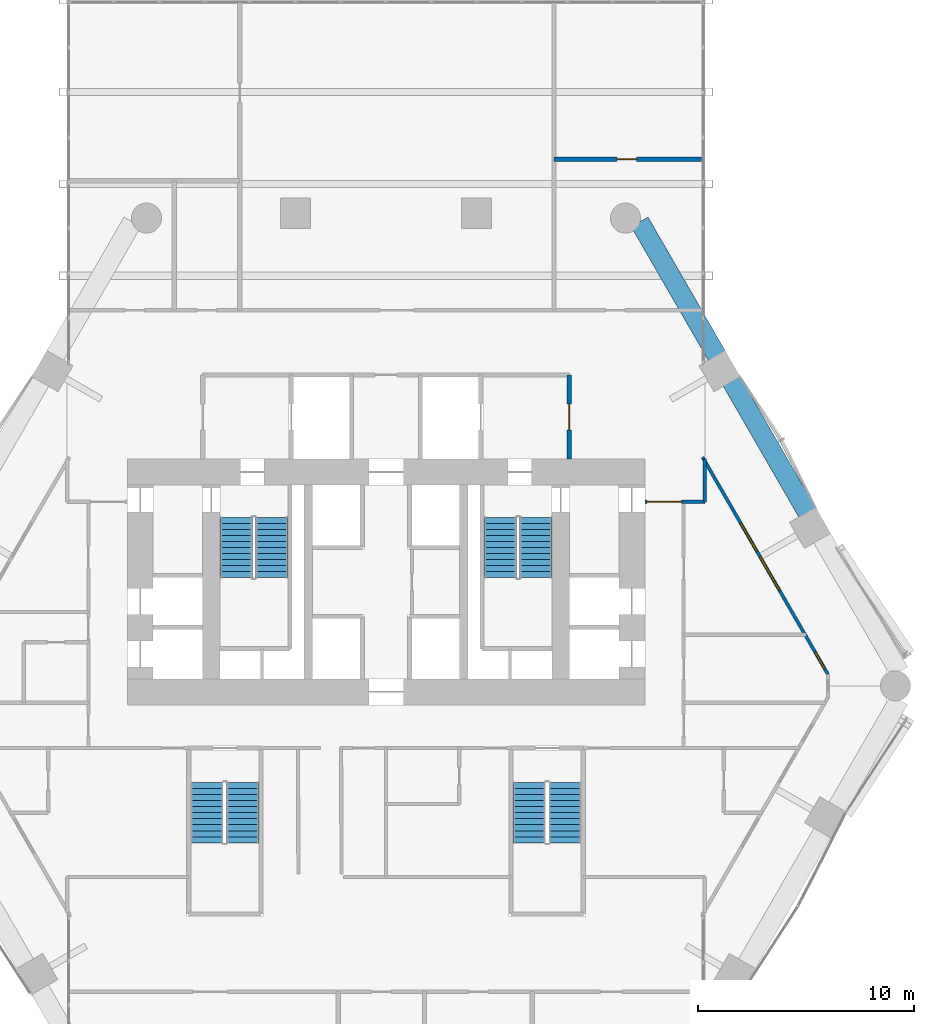
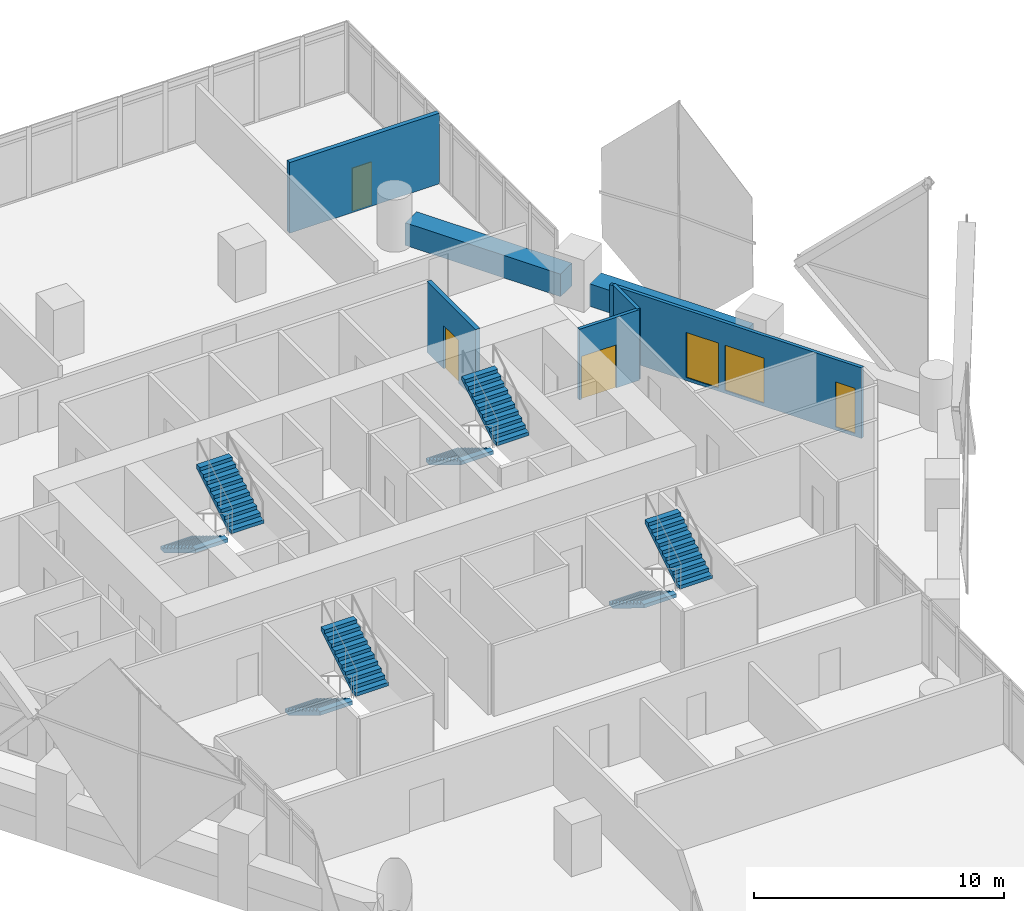
# One storey, part 30 of 35: 8 stair flights, 7 walls, 3 doors, 3 windows, 6 openings, 4 elements without a shape of their own.
"""IFC4 building model written with IfcOpenShell, lengths in metres."""

from ifc_helpers import new_model, si_unit, direction, frame, frame_2d, origin, place, context, subcontext, project, spatial, polyline, rectangle, outline, extrude, material, layer, layer_set, type_object, element, fill, aggregate, save


model = new_model("IFC4")

# Units and contexts
model_context = context("Model", 3, precision=1e-05, world=origin(), true_north=direction((0.0, 1.0)))
body_context = subcontext(model_context, "Body", "Model", "MODEL_VIEW")
ifc_project = project(units=[si_unit("LENGTHUNIT", "METRE"), si_unit("AREAUNIT", "SQUARE_METRE"), si_unit("VOLUMEUNIT", "CUBIC_METRE"), si_unit("PLANEANGLEUNIT", "RADIAN"), si_unit("MASSUNIT", "GRAM", prefix="KILO")], contexts=[model_context])

# Site, building, storey
site_placement = place(None, origin())
site = spatial("IfcSite", under=ifc_project, at=site_placement, CompositionType="ELEMENT")
building_placement = place(site_placement, origin())
building = spatial("IfcBuilding", under=site, at=building_placement, Name="Ostrander Bayou Hotel Tower", CompositionType="ELEMENT")
storey_placement = place(building_placement, frame((0.0, 0.0, 69.25)))
storey = spatial("IfcBuildingStorey", under=building, at=storey_placement, Name="L17", CompositionType="ELEMENT", Elevation=69.25)

# Wall, openings, windows
ifc_material_1 = material(Name="Aluminium framed insulated wall", Category="aluminium")
ifc_layer_1 = layer(ifc_material_1, 0.14990234375)
ifc_layer_set_1 = layer_set([ifc_layer_1], Name="GW1 glass-line wall 150 mm")
wall_type_1 = type_object("IfcWallType", Name="GW1 glass-line wall 150 mm", PredefinedType="SOLIDWALL", material=ifc_layer_set_1)
wall_1_placement = place(storey_placement, frame((20.49560546875, -0.285888671875, 0.0), z_axis=(0.0, 0.0, 1.0), x_axis=(-0.500001004067, 0.866024824085, 0.0)))
wall_1 = element("IfcWall", 1, at=wall_1_placement, inside=storey, type_object=wall_type_1, Name="GW1 L17 NE 1", PredefinedType="SOLIDWALL", context=body_context, shape_type="SweptSolid", body=[
    extrude(rectangle(XDim=11.63330078125, YDim=0.14990234375, at=frame_2d((5.816650390625, 0.0))), origin(), (0.0, 0.0, 1.0), 3.449951171875),
])
opening_1_placement = place(wall_1_placement, frame((0.295166015625, 0.0, 0.14990234375)))
opening_1 = element("IfcOpeningElement", 2, at=opening_1_placement, cuts=wall_1, Name="Opening W15", PredefinedType="OPENING", context=body_context, shape_type="SweptSolid", body=[
    extrude(rectangle(XDim=0.89990234375, YDim=2.199951171875, at=frame_2d((0.449951171875, 1.10009765625))), frame((0.0, 0.074951171875, 0.0), z_axis=(0.0, -1.0, 0.0), x_axis=(1.0, 0.0, 0.0)), (0.0, 0.0, 1.0), 0.14990234375),
])
opening_2_placement = place(wall_1_placement, frame((4.4951171875, 0.0, 0.14990234375)))
opening_2 = element("IfcOpeningElement", 3, at=opening_2_placement, cuts=wall_1, Name="Opening W7", PredefinedType="OPENING", context=body_context, shape_type="SweptSolid", body=[
    extrude(rectangle(XDim=1.800048828125, YDim=2.199951171875, at=frame_2d((0.89990234375, 1.10009765625))), frame((0.0, 0.074951171875, 0.0), z_axis=(0.0, -1.0, 0.0), x_axis=(1.0, 0.0, 0.0)), (0.0, 0.0, 1.0), 0.14990234375),
])
opening_3_placement = place(wall_1_placement, frame((6.59521484375, 0.0, 0.14990234375)))
opening_3 = element("IfcOpeningElement", 4, at=opening_3_placement, cuts=wall_1, Name="Opening W11", PredefinedType="OPENING", context=body_context, shape_type="SweptSolid", body=[
    extrude(rectangle(XDim=1.5, YDim=2.199951171875, at=frame_2d((0.75, 1.10009765625))), frame((0.0, 0.074951171875, 0.0), z_axis=(0.0, -1.0, 0.0), x_axis=(1.0, 0.0, 0.0)), (0.0, 0.0, 1.0), 0.14990234375),
])
ifc_material_2 = material(Name="Aluminium and clear glass", Category="aluminium")
window_type_1 = type_object("IfcWindowType", Name="W11 fixed window 1500 mm, bath bay, zone 1", PartitioningType="SINGLE_PANEL", PredefinedType="WINDOW", material=ifc_material_2)
window_1_placement = place(opening_3_placement, origin())
window_1 = element("IfcWindow", 5, at=window_1_placement, inside=storey, type_object=window_type_1, Name="W11 L17 NE 2", OverallHeight=2.199951171875, OverallWidth=1.5, PartitioningType="SINGLE_PANEL", PredefinedType="WINDOW", context=body_context, shape_type="SweptSolid", body=[
    extrude(rectangle(XDim=1.5, YDim=2.199951171875, at=frame_2d((0.75, 1.10009765625))), frame((0.0, 0.030029296875, 0.0), z_axis=(0.0, -1.0, 0.0), x_axis=(1.0, 0.0, 0.0)), (0.0, 0.0, 1.0), 0.06005859375),
])
fill(opening_3, window_1)
ifc_material_3 = material(Name="Aluminium and clear glass", Category="aluminium")
window_type_2 = type_object("IfcWindowType", Name="W15 window 900 mm, zone 1", PartitioningType="SINGLE_PANEL", PredefinedType="WINDOW", material=ifc_material_3)
window_2_placement = place(opening_1_placement, origin())
window_2 = element("IfcWindow", 6, at=window_2_placement, inside=storey, type_object=window_type_2, Name="W15 L17 NE 1", OverallHeight=2.199951171875, OverallWidth=0.89990234375, PartitioningType="SINGLE_PANEL", PredefinedType="WINDOW", context=body_context, shape_type="SweptSolid", body=[
    extrude(rectangle(XDim=0.89990234375, YDim=2.199951171875, at=frame_2d((0.449951171875, 1.10009765625))), frame((0.0, 0.030029296875, 0.0), z_axis=(0.0, -1.0, 0.0), x_axis=(1.0, 0.0, 0.0)), (0.0, 0.0, 1.0), 0.06005859375),
])
fill(opening_1, window_2)
ifc_material_4 = material(Name="Aluminium and clear glass", Category="aluminium")
window_type_3 = type_object("IfcWindowType", Name="W7 fixed window 1800 mm, bar storeys, zone 1", PartitioningType="SINGLE_PANEL", PredefinedType="WINDOW", material=ifc_material_4)
window_3_placement = place(opening_2_placement, origin())
window_3 = element("IfcWindow", 7, at=window_3_placement, inside=storey, type_object=window_type_3, Name="W7 L17 NE 2", OverallHeight=2.199951171875, OverallWidth=1.800048828125, PartitioningType="SINGLE_PANEL", PredefinedType="WINDOW", context=body_context, shape_type="SweptSolid", body=[
    extrude(rectangle(XDim=1.800048828125, YDim=2.199951171875, at=frame_2d((0.89990234375, 1.10009765625))), frame((0.0, 0.030029296875, 0.0), z_axis=(0.0, -1.0, 0.0), x_axis=(1.0, 0.0, 0.0)), (0.0, 0.0, 1.0), 0.06005859375),
])
fill(opening_2, window_3)

# Walls
ifc_material_5 = material(Name="Concrete f'c 40 MPa", Category="concrete")
ifc_layer_2 = layer(ifc_material_5, 0.89990234375)
ifc_layer_set_2 = layer_set([ifc_layer_2], Name="PA1 stone-faced parapet 900 mm")
wall_type_2 = type_object("IfcWallType", Name="PA1 stone-faced parapet 900 mm", PredefinedType="PARAPET", material=ifc_layer_set_2)
wall_2_placement = place(storey_placement, frame((19.543701171875, 7.212890625, 0.0), z_axis=(0.0, 0.0, 1.0), x_axis=(-0.499997206141, 0.866027016814, 0.0)))
element("IfcWall", 8, at=wall_2_placement, inside=storey, type_object=wall_type_2, Name="PA1 L17 NE-2", PredefinedType="PARAPET", context=body_context, shape_type="SweptSolid", body=[
    extrude(rectangle(XDim=7.05078125, YDim=0.89990234375, at=frame_2d((3.525390625, 0.0))), origin(), (0.0, 0.0, 1.0), 1.10009765625),
])
wall_3_placement = place(storey_placement, frame((15.348388671875, 14.4794921875, 0.0), z_axis=(0.0, 0.0, 1.0), x_axis=(-0.500014005679, 0.866017317451, 0.0)))
element("IfcWall", 9, at=wall_3_placement, inside=storey, type_object=wall_type_2, Name="PA1 L17 NE-3", PredefinedType="PARAPET", context=body_context, shape_type="SweptSolid", body=[
    extrude(rectangle(XDim=7.176025390625, YDim=0.89990234375, at=frame_2d((3.587890625, 0.0))), origin(), (0.0, 0.0, 1.0), 1.10009765625),
])

# Wall, opening, door
ifc_material_6 = material(Name="Gypsum board partition", Category="finish")
ifc_layer_3 = layer(ifc_material_6, 0.199951171875)
ifc_layer_set_3 = layer_set([ifc_layer_3], Name="PT3 demising wall 200 mm acoustic double stud, 1 hour")
wall_type_3 = type_object("IfcWallType", Name="PT3 demising wall 200 mm acoustic double stud, 1 hour", PredefinedType="PARTITIONING", material=ifc_layer_set_3)
wall_4_placement = place(storey_placement, frame((7.787109375, 23.60009765625, 0.0), z_axis=(0.0, 0.0, 1.0), x_axis=(1.0, 0.0, 0.0)))
wall_4 = element("IfcWall", 10, at=wall_4_placement, inside=storey, type_object=wall_type_3, Name="sw:L17:504", PredefinedType="PARTITIONING", context=body_context, shape_type="SweptSolid", body=[
    extrude(rectangle(XDim=6.906005859375, YDim=0.199951171875, at=frame_2d((3.453125, 0.0))), origin(), (0.0, 0.0, 1.0), 3.449951171875),
])
opening_4_placement = place(wall_4_placement, frame((2.93505859375, 0.0, 0.0)))
opening_4 = element("IfcOpeningElement", 11, at=opening_4_placement, cuts=wall_4, Name="Opening T16-1206", PredefinedType="OPENING", context=body_context, shape_type="SweptSolid", body=[
    extrude(rectangle(XDim=0.89990234375, YDim=2.10009765625, at=frame_2d((0.449951171875, 1.050048828125))), frame((0.0, 0.10009765625, 0.0), z_axis=(0.0, -1.0, 0.0), x_axis=(1.0, 0.0, 0.0)), (0.0, 0.0, 1.0), 0.199951171875),
])
ifc_material_7 = material(Name="Timber door leaf", Category="wood")
door_type_1 = type_object("IfcDoorType", Name="D8 room door 900 x 2100 mm", OperationType="SINGLE_SWING_LEFT", PredefinedType="DOOR", material=ifc_material_7)
door_1_placement = place(opening_4_placement, origin())
door_1 = element("IfcDoor", 12, at=door_1_placement, inside=storey, type_object=door_type_1, Name="dr:L17:1206", OperationType="SINGLE_SWING_RIGHT", OverallHeight=2.10009765625, OverallWidth=0.89990234375, PredefinedType="DOOR", context=body_context, shape_type="SweptSolid", body=[
    extrude(rectangle(XDim=0.89990234375, YDim=2.10009765625, at=frame_2d((0.449951171875, 1.050048828125))), frame((0.0, 0.02490234375, 0.0), z_axis=(0.0, -1.0, 0.0), x_axis=(1.0, 0.0, 0.0)), (0.0, 0.0, 1.0), 0.050048828125),
])
fill(opening_4, door_1)

ifc_material_8 = material(Name="Masonry block", Category="masonry")
ifc_layer_4 = layer(ifc_material_8, 0.199951171875)
ifc_layer_set_4 = layer_set([ifc_layer_4], Name="PT5 stair enclosure wall 200 mm masonry, 2 hour")
wall_type_4 = type_object("IfcWallType", Name="PT5 stair enclosure wall 200 mm masonry, 2 hour", PredefinedType="PARTITIONING", material=ifc_layer_set_4)
wall_5_placement = place(storey_placement, frame((8.5, 9.699951171875, 0.0), z_axis=(0.0, 0.0, 1.0), x_axis=(0.0, 1.0, 0.0)))
wall_5 = element("IfcWall", 13, at=wall_5_placement, inside=storey, type_object=wall_type_4, Name="cs:L17:025", PredefinedType="PARTITIONING", context=body_context, shape_type="SweptSolid", body=[
    extrude(rectangle(XDim=3.900146484375, YDim=0.199951171875, at=frame_2d((1.9501953125, 0.0))), origin(), (0.0, 0.0, 1.0), 3.449951171875),
])
opening_5_placement = place(wall_5_placement, frame((1.35009765625, 0.0, 0.0)))
opening_5 = element("IfcOpeningElement", 14, at=opening_5_placement, cuts=wall_5, Name="Opening T16-012", PredefinedType="OPENING", context=body_context, shape_type="SweptSolid", body=[
    extrude(rectangle(XDim=1.199951171875, YDim=2.10009765625, at=frame_2d((0.60009765625, 1.050048828125))), frame((0.0, 0.10009765625, 0.0), z_axis=(0.0, -1.0, 0.0), x_axis=(1.0, 0.0, 0.0)), (0.0, 0.0, 1.0), 0.199951171875),
])
ifc_material_9 = material(Name="Timber door leaf", Category="wood")
door_type_2 = type_object("IfcDoorType", Name="D7 lobby door 1200 x 2100 mm, 1 hour", OperationType="SINGLE_SWING_LEFT", PredefinedType="DOOR", material=ifc_material_9)
door_2_placement = place(opening_5_placement, origin())
door_2 = element("IfcDoor", 15, at=door_2_placement, inside=storey, type_object=door_type_2, Name="dr:L17:012", OperationType="SINGLE_SWING_LEFT", OverallHeight=2.10009765625, OverallWidth=1.199951171875, PredefinedType="DOOR", context=body_context, shape_type="SweptSolid", body=[
    extrude(rectangle(XDim=1.199951171875, YDim=2.10009765625, at=frame_2d((0.60009765625, 1.050048828125))), frame((0.0, 0.02490234375, 0.0), z_axis=(0.0, -1.0, 0.0), x_axis=(1.0, 0.0, 0.0)), (0.0, 0.0, 1.0), 0.050048828125),
])
fill(opening_5, door_2)

ifc_material_10 = material(Name="Gypsum board partition", Category="finish")
ifc_layer_5 = layer(ifc_material_10, 0.14990234375)
ifc_layer_set_5 = layer_set([ifc_layer_5], Name="PT8 service band wall 150 mm, 1 hour")
wall_type_5 = type_object("IfcWallType", Name="PT8 service band wall 150 mm, 1 hour", PredefinedType="PARTITIONING", material=ifc_layer_set_5)
wall_6_placement = place(storey_placement, frame((12.010009765625, 7.715087890625, 0.0), z_axis=(0.0, 0.0, 1.0), x_axis=(1.0, 0.0, 0.0)))
wall_6 = element("IfcWall", 16, at=wall_6_placement, inside=storey, type_object=wall_type_5, Name="gw:L17:017", PredefinedType="PARTITIONING", context=body_context, shape_type="SweptSolid", body=[
    extrude(rectangle(XDim=2.77490234375, YDim=0.14990234375, at=frame_2d((1.387451171875, 0.0))), origin(), (0.0, 0.0, 1.0), 3.449951171875),
])
opening_6_placement = place(wall_6_placement, frame((0.10009765625, 0.0, 0.0)))
opening_6 = element("IfcOpeningElement", 17, at=opening_6_placement, cuts=wall_6, Name="Opening T16-1212", PredefinedType="OPENING", context=body_context, shape_type="SweptSolid", body=[
    extrude(rectangle(XDim=1.60009765625, YDim=2.10009765625, at=frame_2d((0.800048828125, 1.050048828125))), frame((0.0, 0.074951171875, 0.0), z_axis=(0.0, -1.0, 0.0), x_axis=(1.0, 0.0, 0.0)), (0.0, 0.0, 1.0), 0.14990234375),
])
ifc_material_11 = material(Name="Timber door leaf", Category="wood")
door_type_3 = type_object("IfcDoorType", Name="D13 double door 1600 x 2100 mm, 1 hour", OperationType="SINGLE_SWING_LEFT", PredefinedType="DOOR", material=ifc_material_11)
door_3_placement = place(opening_6_placement, origin())
door_3 = element("IfcDoor", 18, at=door_3_placement, inside=storey, type_object=door_type_3, Name="dr:L17:1212", OperationType="DOUBLE_DOOR_SINGLE_SWING", OverallHeight=2.10009765625, OverallWidth=1.60009765625, PredefinedType="DOOR", context=body_context, shape_type="SweptSolid", body=[
    extrude(rectangle(XDim=1.60009765625, YDim=2.10009765625, at=frame_2d((0.800048828125, 1.050048828125))), frame((0.0, 0.02490234375, 0.0), z_axis=(0.0, -1.0, 0.0), x_axis=(1.0, 0.0, 0.0)), (0.0, 0.0, 1.0), 0.050048828125),
])
fill(opening_6, door_3)

# Wall
wall_7_placement = place(storey_placement, frame((14.784912109375, 7.715087890625, 0.0), z_axis=(0.0, 0.0, 1.0), x_axis=(0.0, 1.0, 0.0)))
element("IfcWall", 19, at=wall_7_placement, inside=storey, type_object=wall_type_5, Name="gw:L17:020", PredefinedType="PARTITIONING", context=body_context, shape_type="SweptSolid", body=[
    extrude(rectangle(XDim=1.97998046875, YDim=0.14990234375, at=frame_2d((0.989990234375, 0.0))), origin(), (0.0, 0.0, 1.0), 3.449951171875),
])

# Stair, stair flights
ifc_material_12 = material(Name="Concrete f'c 45 MPa", Category="concrete")
stair_type = type_object("IfcStairType", Name="ST1 exit stair 1500 mm f'c 45 MPa", PredefinedType="HALF_TURN_STAIR", material=ifc_material_12)
stair_1_placement = place(storey_placement, origin())
stair_1 = element("IfcStair", 20, at=stair_1_placement, inside=storey, type_object=stair_type, Name="L17 exit stair A", PredefinedType="HALF_TURN_STAIR")
ifc_material_13 = material(Name="Concrete f'c 45 MPa", Category="concrete")
stair_flight_type = type_object("IfcStairFlightType", Name="SF1 stair flight 1500 mm f'c 45 MPa", PredefinedType="STRAIGHT", material=ifc_material_13)
stair_flight_1_placement = place(storey_placement, frame((-6.949951171875, 7.0, 0.0), z_axis=(0.0, 0.0, 1.0), x_axis=(0.0, -1.0, 0.0)))
stair_flight_1 = element("IfcStairFlight", 21, at=stair_flight_1_placement, type_object=stair_flight_type, Name="STA flight 1", NumberOfRisers=11, NumberOfTreads=10, PredefinedType="STRAIGHT", RiserHeight=0.170454545, TreadLength=0.28, context=body_context, shape_type="SweptSolid", body=[
    extrude(outline(polyline([(0.0, 0.0), (0.0, 0.17041015625), (0.280029296875, 0.17041015625), (0.280029296875, 0.3408203125), (0.56005859375, 0.3408203125), (0.56005859375, 0.511474609375), (0.840087890625, 0.511474609375), (0.840087890625, 0.681884765625), (1.1201171875, 0.681884765625), (1.1201171875, 0.852294921875), (1.39990234375, 0.852294921875), (1.39990234375, 1.022705078125), (1.679931640625, 1.022705078125), (1.679931640625, 1.193115234375), (1.9599609375, 1.193115234375), (1.9599609375, 1.363525390625), (2.239990234375, 1.363525390625), (2.239990234375, 1.5341796875), (2.52001953125, 1.5341796875), (2.52001953125, 1.70458984375), (2.800048828125, 1.70458984375), (2.800048828125, 1.875), (2.800048828125, 1.529052734375), (0.288330078125, 0.0), (0.0, 0.0)])), frame((0.0, 0.75, 0.0), z_axis=(0.0, -1.0, 0.0), x_axis=(1.0, 0.0, 0.0)), (0.0, 0.0, 1.0), 1.5),
])
stair_flight_2_placement = place(storey_placement, frame((-5.300048828125, 4.199951171875, 1.875), z_axis=(0.0, 0.0, 1.0), x_axis=(0.0, 1.0, 0.0)))
stair_flight_2 = element("IfcStairFlight", 22, at=stair_flight_2_placement, type_object=stair_flight_type, Name="STA flight 2", NumberOfRisers=11, NumberOfTreads=10, PredefinedType="STRAIGHT", RiserHeight=0.170454545, TreadLength=0.28, context=body_context, shape_type="SweptSolid", body=[
    extrude(outline(polyline([(0.0, 0.0), (0.0, 0.17041015625), (0.280029296875, 0.17041015625), (0.280029296875, 0.3408203125), (0.56005859375, 0.3408203125), (0.56005859375, 0.511474609375), (0.840087890625, 0.511474609375), (0.840087890625, 0.681884765625), (1.1201171875, 0.681884765625), (1.1201171875, 0.852294921875), (1.39990234375, 0.852294921875), (1.39990234375, 1.022705078125), (1.679931640625, 1.022705078125), (1.679931640625, 1.193115234375), (1.9599609375, 1.193115234375), (1.9599609375, 1.363525390625), (2.239990234375, 1.363525390625), (2.239990234375, 1.5341796875), (2.52001953125, 1.5341796875), (2.52001953125, 1.70458984375), (2.800048828125, 1.70458984375), (2.800048828125, 1.875), (2.800048828125, 1.529052734375), (0.288330078125, 0.0), (0.0, 0.0)])), frame((0.0, 0.75, 0.0), z_axis=(0.0, -1.0, 0.0), x_axis=(1.0, 0.0, 0.0)), (0.0, 0.0, 1.0), 1.5),
])
aggregate(stair_1, [stair_flight_1, stair_flight_2])

stair_2_placement = place(storey_placement, origin())
stair_2 = element("IfcStair", 23, at=stair_2_placement, inside=storey, type_object=stair_type, Name="L17 exit stair B", PredefinedType="HALF_TURN_STAIR")
stair_flight_3_placement = place(storey_placement, frame((5.300048828125, 7.0, 0.0), z_axis=(0.0, 0.0, 1.0), x_axis=(0.0, -1.0, 0.0)))
stair_flight_3 = element("IfcStairFlight", 24, at=stair_flight_3_placement, type_object=stair_flight_type, Name="STB flight 1", NumberOfRisers=11, NumberOfTreads=10, PredefinedType="STRAIGHT", RiserHeight=0.170454545, TreadLength=0.28, context=body_context, shape_type="SweptSolid", body=[
    extrude(outline(polyline([(0.0, 0.0), (0.0, 0.17041015625), (0.280029296875, 0.17041015625), (0.280029296875, 0.3408203125), (0.56005859375, 0.3408203125), (0.56005859375, 0.511474609375), (0.840087890625, 0.511474609375), (0.840087890625, 0.681884765625), (1.1201171875, 0.681884765625), (1.1201171875, 0.852294921875), (1.39990234375, 0.852294921875), (1.39990234375, 1.022705078125), (1.679931640625, 1.022705078125), (1.679931640625, 1.193115234375), (1.9599609375, 1.193115234375), (1.9599609375, 1.363525390625), (2.239990234375, 1.363525390625), (2.239990234375, 1.5341796875), (2.52001953125, 1.5341796875), (2.52001953125, 1.70458984375), (2.800048828125, 1.70458984375), (2.800048828125, 1.875), (2.800048828125, 1.529052734375), (0.288330078125, 0.0), (0.0, 0.0)])), frame((0.0, 0.75, 0.0), z_axis=(0.0, -1.0, 0.0), x_axis=(1.0, 0.0, 0.0)), (0.0, 0.0, 1.0), 1.5),
])
stair_flight_4_placement = place(storey_placement, frame((6.949951171875, 4.199951171875, 1.875), z_axis=(0.0, 0.0, 1.0), x_axis=(0.0, 1.0, 0.0)))
stair_flight_4 = element("IfcStairFlight", 25, at=stair_flight_4_placement, type_object=stair_flight_type, Name="STB flight 2", NumberOfRisers=11, NumberOfTreads=10, PredefinedType="STRAIGHT", RiserHeight=0.170454545, TreadLength=0.28, context=body_context, shape_type="SweptSolid", body=[
    extrude(outline(polyline([(0.0, 0.0), (0.0, 0.17041015625), (0.280029296875, 0.17041015625), (0.280029296875, 0.3408203125), (0.56005859375, 0.3408203125), (0.56005859375, 0.511474609375), (0.840087890625, 0.511474609375), (0.840087890625, 0.681884765625), (1.1201171875, 0.681884765625), (1.1201171875, 0.852294921875), (1.39990234375, 0.852294921875), (1.39990234375, 1.022705078125), (1.679931640625, 1.022705078125), (1.679931640625, 1.193115234375), (1.9599609375, 1.193115234375), (1.9599609375, 1.363525390625), (2.239990234375, 1.363525390625), (2.239990234375, 1.5341796875), (2.52001953125, 1.5341796875), (2.52001953125, 1.70458984375), (2.800048828125, 1.70458984375), (2.800048828125, 1.875), (2.800048828125, 1.529052734375), (0.288330078125, 0.0), (0.0, 0.0)])), frame((0.0, 0.75, 0.0), z_axis=(0.0, -1.0, 0.0), x_axis=(1.0, 0.0, 0.0)), (0.0, 0.0, 1.0), 1.5),
])
aggregate(stair_2, [stair_flight_3, stair_flight_4])

stair_3_placement = place(storey_placement, origin())
stair_3 = element("IfcStair", 26, at=stair_3_placement, inside=storey, type_object=stair_type, Name="L17 exit stair C", PredefinedType="HALF_TURN_STAIR")
stair_flight_5_placement = place(storey_placement, frame((6.64990234375, -5.300048828125, 0.0), z_axis=(0.0, 0.0, 1.0), x_axis=(0.0, -1.0, 0.0)))
stair_flight_5 = element("IfcStairFlight", 27, at=stair_flight_5_placement, type_object=stair_flight_type, Name="STC flight 1", NumberOfRisers=11, NumberOfTreads=10, PredefinedType="STRAIGHT", RiserHeight=0.170454545, TreadLength=0.28, context=body_context, shape_type="SweptSolid", body=[
    extrude(outline(polyline([(0.0, 0.0), (0.0, 0.17041015625), (0.280029296875, 0.17041015625), (0.280029296875, 0.3408203125), (0.56005859375, 0.3408203125), (0.56005859375, 0.511474609375), (0.840087890625, 0.511474609375), (0.840087890625, 0.681884765625), (1.1201171875, 0.681884765625), (1.1201171875, 0.852294921875), (1.39990234375, 0.852294921875), (1.39990234375, 1.022705078125), (1.679931640625, 1.022705078125), (1.679931640625, 1.193115234375), (1.9599609375, 1.193115234375), (1.9599609375, 1.363525390625), (2.239990234375, 1.363525390625), (2.239990234375, 1.5341796875), (2.52001953125, 1.5341796875), (2.52001953125, 1.70458984375), (2.800048828125, 1.70458984375), (2.800048828125, 1.875), (2.800048828125, 1.529052734375), (0.288330078125, 0.0), (0.0, 0.0)])), frame((0.0, 0.75, 0.0), z_axis=(0.0, -1.0, 0.0), x_axis=(1.0, 0.0, 0.0)), (0.0, 0.0, 1.0), 1.5),
])
stair_flight_6_placement = place(storey_placement, frame((8.300048828125, -8.10009765625, 1.875), z_axis=(0.0, 0.0, 1.0), x_axis=(0.0, 1.0, 0.0)))
stair_flight_6 = element("IfcStairFlight", 28, at=stair_flight_6_placement, type_object=stair_flight_type, Name="STC flight 2", NumberOfRisers=11, NumberOfTreads=10, PredefinedType="STRAIGHT", RiserHeight=0.170454545, TreadLength=0.28, context=body_context, shape_type="SweptSolid", body=[
    extrude(outline(polyline([(0.0, 0.0), (0.0, 0.17041015625), (0.280029296875, 0.17041015625), (0.280029296875, 0.3408203125), (0.56005859375, 0.3408203125), (0.56005859375, 0.511474609375), (0.840087890625, 0.511474609375), (0.840087890625, 0.681884765625), (1.1201171875, 0.681884765625), (1.1201171875, 0.852294921875), (1.39990234375, 0.852294921875), (1.39990234375, 1.022705078125), (1.679931640625, 1.022705078125), (1.679931640625, 1.193115234375), (1.9599609375, 1.193115234375), (1.9599609375, 1.363525390625), (2.239990234375, 1.363525390625), (2.239990234375, 1.5341796875), (2.52001953125, 1.5341796875), (2.52001953125, 1.70458984375), (2.800048828125, 1.70458984375), (2.800048828125, 1.875), (2.800048828125, 1.529052734375), (0.288330078125, 0.0), (0.0, 0.0)])), frame((0.0, 0.75, 0.0), z_axis=(0.0, -1.0, 0.0), x_axis=(1.0, 0.0, 0.0)), (0.0, 0.0, 1.0), 1.5),
])
aggregate(stair_3, [stair_flight_5, stair_flight_6])

stair_4_placement = place(storey_placement, origin())
stair_4 = element("IfcStair", 29, at=stair_4_placement, inside=storey, type_object=stair_type, Name="L17 exit stair D", PredefinedType="HALF_TURN_STAIR")
stair_flight_7_placement = place(storey_placement, frame((-8.300048828125, -5.300048828125, 0.0), z_axis=(0.0, 0.0, 1.0), x_axis=(0.0, -1.0, 0.0)))
stair_flight_7 = element("IfcStairFlight", 30, at=stair_flight_7_placement, type_object=stair_flight_type, Name="STD flight 1", NumberOfRisers=11, NumberOfTreads=10, PredefinedType="STRAIGHT", RiserHeight=0.170454545, TreadLength=0.28, context=body_context, shape_type="SweptSolid", body=[
    extrude(outline(polyline([(0.0, 0.0), (0.0, 0.17041015625), (0.280029296875, 0.17041015625), (0.280029296875, 0.3408203125), (0.56005859375, 0.3408203125), (0.56005859375, 0.511474609375), (0.840087890625, 0.511474609375), (0.840087890625, 0.681884765625), (1.1201171875, 0.681884765625), (1.1201171875, 0.852294921875), (1.39990234375, 0.852294921875), (1.39990234375, 1.022705078125), (1.679931640625, 1.022705078125), (1.679931640625, 1.193115234375), (1.9599609375, 1.193115234375), (1.9599609375, 1.363525390625), (2.239990234375, 1.363525390625), (2.239990234375, 1.5341796875), (2.52001953125, 1.5341796875), (2.52001953125, 1.70458984375), (2.800048828125, 1.70458984375), (2.800048828125, 1.875), (2.800048828125, 1.529052734375), (0.288330078125, 0.0), (0.0, 0.0)])), frame((0.0, 0.75, 0.0), z_axis=(0.0, -1.0, 0.0), x_axis=(1.0, 0.0, 0.0)), (0.0, 0.0, 1.0), 1.5),
])
stair_flight_8_placement = place(storey_placement, frame((-6.64990234375, -8.10009765625, 1.875), z_axis=(0.0, 0.0, 1.0), x_axis=(0.0, 1.0, 0.0)))
stair_flight_8 = element("IfcStairFlight", 31, at=stair_flight_8_placement, type_object=stair_flight_type, Name="STD flight 2", NumberOfRisers=11, NumberOfTreads=10, PredefinedType="STRAIGHT", RiserHeight=0.170454545, TreadLength=0.28, context=body_context, shape_type="SweptSolid", body=[
    extrude(outline(polyline([(0.0, 0.0), (0.0, 0.17041015625), (0.280029296875, 0.17041015625), (0.280029296875, 0.3408203125), (0.56005859375, 0.3408203125), (0.56005859375, 0.511474609375), (0.840087890625, 0.511474609375), (0.840087890625, 0.681884765625), (1.1201171875, 0.681884765625), (1.1201171875, 0.852294921875), (1.39990234375, 0.852294921875), (1.39990234375, 1.022705078125), (1.679931640625, 1.022705078125), (1.679931640625, 1.193115234375), (1.9599609375, 1.193115234375), (1.9599609375, 1.363525390625), (2.239990234375, 1.363525390625), (2.239990234375, 1.5341796875), (2.52001953125, 1.5341796875), (2.52001953125, 1.70458984375), (2.800048828125, 1.70458984375), (2.800048828125, 1.875), (2.800048828125, 1.529052734375), (0.288330078125, 0.0), (0.0, 0.0)])), frame((0.0, 0.75, 0.0), z_axis=(0.0, -1.0, 0.0), x_axis=(1.0, 0.0, 0.0)), (0.0, 0.0, 1.0), 1.5),
])
aggregate(stair_4, [stair_flight_7, stair_flight_8])

save(model, "model.ifc")
